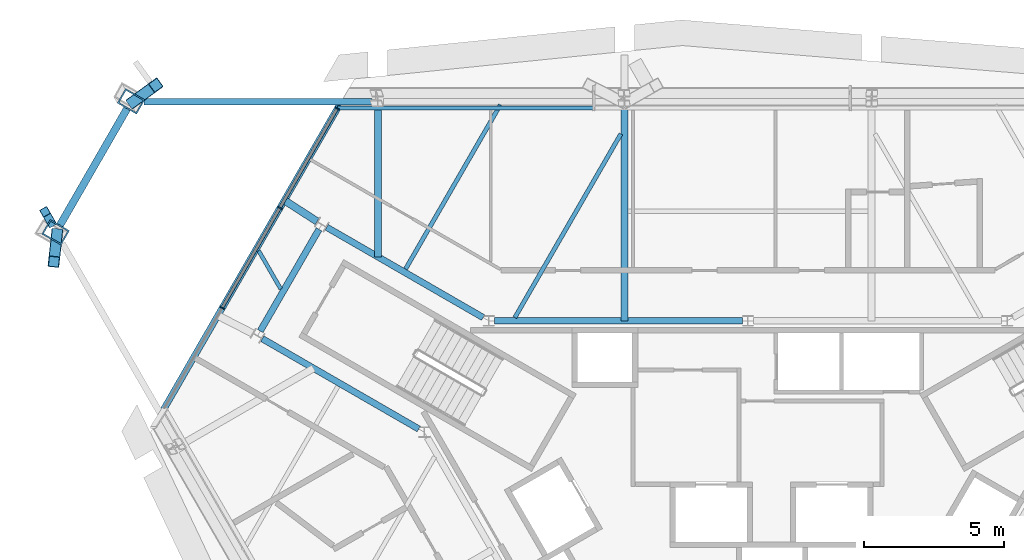
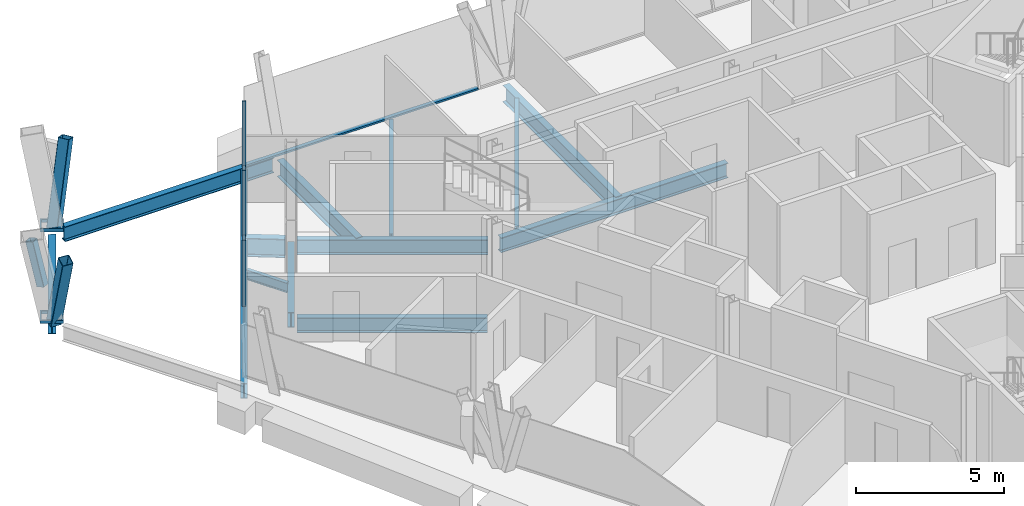
# One storey, part 4 of 11: 13 beams, 11 members, 2 elements without a shape of their own.
"""IFC4 building model written with IfcOpenShell, lengths in metres."""

import ifcopenshell
import ifcopenshell.guid

model = None  # the IFC model being written
_history = None  # IfcOwnerHistory: only IFC2X3 demands one
_inside = {}  # id of a spatial element -> (the spatial element, [elements in it])
_under = {}  # id of a project, library or spatial element -> (it, [spatial elements below it])
_declared = {}  # id of a project -> (the project, [libraries it declares])
_typed = {}  # id of a type object -> (the type object, [elements of that type])
_made_of = {}  # id of a material, layer set ... -> (it, [elements and type objects made of it])


def new_model(schema):
    """Start an empty IFC model of exactly this schema.

    Asked for "IFC4X3", IfcOpenShell would pick the latest addendum, in which some entities
    have other attributes; the version numbers below select the first issue.
    IFC2X3 requires an IfcOwnerHistory on every rooted entity: one is made here for all.
    """
    global model, _history
    if schema == "IFC4X3":
        model = ifcopenshell.file(schema_version=(4, 3, 0, 0))
    else:
        model = ifcopenshell.file(schema=schema)
    _inside.clear()
    _under.clear()
    _declared.clear()
    _typed.clear()
    _made_of.clear()
    _history = None
    if model.schema == "IFC2X3":
        org = make("IfcOrganization", Name="unknown")
        user = make(
            "IfcPersonAndOrganization",
            ThePerson=make("IfcPerson", FamilyName="unknown"),
            TheOrganization=org,
        )
        app = make(
            "IfcApplication",
            ApplicationDeveloper=org,
            Version="unknown",
            ApplicationFullName="unknown",
            ApplicationIdentifier="unknown",
        )
        _history = make(
            "IfcOwnerHistory",
            OwningUser=user,
            OwningApplication=app,
            ChangeAction="ADDED",
            CreationDate=0,
        )
    return model


def make(cls, **values):
    """One entity of the class cls with the attributes given. An attribute that is None is left unset."""
    return model.create_entity(
        cls, **{name: value for name, value in values.items() if value is not None}
    )


def rooted(cls, **values):
    """An entity with a GlobalId (a new one), such as an element, a storey or a relation."""
    return make(cls, GlobalId=ifcopenshell.guid.new(), OwnerHistory=_history, **values)


def si_unit(unit_type, name, prefix=None):
    """IfcSIUnit, for example si_unit("LENGTHUNIT", "METRE", prefix="MILLI")."""
    return make("IfcSIUnit", UnitType=unit_type, Prefix=prefix, Name=name)


def assignment(units):
    """IfcUnitAssignment: the units of a project."""
    return None if units is None else make("IfcUnitAssignment", Units=units)


def point(xyz):
    """IfcCartesianPoint."""
    return None if xyz is None else make("IfcCartesianPoint", Coordinates=xyz)


def direction(xyz):
    """IfcDirection."""
    return None if xyz is None else make("IfcDirection", DirectionRatios=xyz)


def frame(location, z_axis=None, x_axis=None):
    """IfcAxis2Placement3D, a coordinate frame: its origin and axes. An axis left out is left unset."""
    return make(
        "IfcAxis2Placement3D",
        Location=point(location),
        Axis=direction(z_axis),
        RefDirection=direction(x_axis),
    )


def frame_2d(location, x_axis=None):
    """IfcAxis2Placement2D, a coordinate frame in the plane: its origin and x axis."""
    return make(
        "IfcAxis2Placement2D", Location=point(location), RefDirection=direction(x_axis)
    )


def origin():
    """The frame at (0, 0, 0) with its axes left unset."""
    return frame((0.0, 0.0, 0.0))


def origin_2d():
    """The frame at (0, 0) in the plane with its x axis left unset."""
    return frame_2d((0.0, 0.0))


def place(relative_to, where):
    """IfcLocalPlacement: puts the frame where relative to a parent placement (None: the world)."""
    return make(
        "IfcLocalPlacement", PlacementRelTo=relative_to, RelativePlacement=where
    )


def context(
    kind, dimensions, precision=None, world=None, true_north=None, identifier=None
):
    """IfcGeometricRepresentationContext, for example the 3D "Model" context."""
    return make(
        "IfcGeometricRepresentationContext",
        ContextIdentifier=identifier,
        ContextType=kind,
        CoordinateSpaceDimension=dimensions,
        Precision=precision,
        WorldCoordinateSystem=world,
        TrueNorth=true_north,
    )


def subcontext(parent, identifier, kind, view, scale=None):
    """IfcGeometricRepresentationSubContext, for example "Body" below "Model"."""
    return make(
        "IfcGeometricRepresentationSubContext",
        ContextIdentifier=identifier,
        ContextType=kind,
        ParentContext=parent,
        TargetScale=scale,
        TargetView=view,
    )


def project(units=None, contexts=None):
    """IfcProject with its units and contexts."""
    return rooted(
        "IfcProject",
        Name="project",
        RepresentationContexts=contexts,
        UnitsInContext=assignment(units),
    )


def spatial(cls, under=None, at=None, **own):
    """A site, building, storey or space (cls), placed at a placement, below another one or the project."""
    s = rooted(cls, ObjectPlacement=at, **own)
    if under is not None:
        _under.setdefault(under.id(), (under, []))[1].append(s)
    return s


def profile(cls, at=None, kind="AREA", **sizes):
    """A parametric profile (cls). Its sizes go by their IFC names, for example OverallWidth=200.0."""
    return make(cls, ProfileType=kind, Position=at, **sizes)


def rectangle(**sizes):
    """IfcRectangleProfileDef."""
    return profile("IfcRectangleProfileDef", **sizes)


def hollow_rectangle(**sizes):
    """IfcRectangleHollowProfileDef."""
    return profile("IfcRectangleHollowProfileDef", **sizes)


def i_section(**sizes):
    """IfcIShapeProfileDef."""
    return profile("IfcIShapeProfileDef", **sizes)


def extrude(swept, where, along, depth):
    """IfcExtrudedAreaSolid: the profile swept, set in the frame where, extruded along a direction by depth."""
    return make(
        "IfcExtrudedAreaSolid",
        SweptArea=swept,
        Position=where,
        ExtrudedDirection=direction(along),
        Depth=depth,
    )


def shape(context_of_items, identifier, shape_type, items):
    """IfcShapeRepresentation: the items that make up one representation, for example the "Body"."""
    return make(
        "IfcShapeRepresentation",
        ContextOfItems=context_of_items,
        RepresentationIdentifier=identifier,
        RepresentationType=shape_type,
        Items=items,
    )


def material(Name=None, Category=None):
    """IfcMaterial."""
    return make("IfcMaterial", Name=Name, Category=Category)


def material_profile(
    of_material, cross_section, Name=None, Category=None, Priority=None
):
    """IfcMaterialProfile: a cross section and its material."""
    return make(
        "IfcMaterialProfile",
        Name=Name,
        Material=of_material,
        Profile=cross_section,
        Priority=Priority,
        Category=Category,
    )


def profile_set(profiles, Name=None, composite=None):
    """IfcMaterialProfileSet."""
    return make(
        "IfcMaterialProfileSet",
        Name=Name,
        MaterialProfiles=profiles,
        CompositeProfile=composite,
    )


def made_of(thing, what):
    """Note that an element or type object is made of a material, layer set ...; save() writes the relation."""
    if what is not None:
        _made_of.setdefault(what.id(), (what, []))[1].append(thing)
    return thing


def type_object(cls, material=None, **own):
    """A type object (cls), such as IfcWallType, which elements share."""
    return made_of(rooted(cls, **own), material)


def element(
    cls,
    number,
    at=None,
    inside=None,
    cuts=None,
    type_object=None,
    material=None,
    context=None,
    identifier="Body",
    shape_type=None,
    held_by="IfcProductDefinitionShape",
    body=None,
    shapes=None,
    **own,
):
    """One element of the class cls, such as IfcWall. Its Tag is "e" and its number.

    at: its placement. inside: the storey or other place that contains it. cuts: it is an
    opening in that element (IfcRelVoidsElement). A single representation is given by context,
    identifier, shape_type and body (its items); several are given by shapes. held_by: the class
    of the entity that holds the representations. save() writes the other relations.
    """
    e = rooted(cls, Tag="e%d" % number, ObjectPlacement=at, **own)
    if body is not None:
        shapes = [shape(context, identifier, shape_type, body)]
    if shapes is not None:
        e.Representation = make(held_by, Representations=shapes)
    if inside is not None:
        _inside.setdefault(inside.id(), (inside, []))[1].append(e)
    if cuts is not None:
        rooted(
            "IfcRelVoidsElement", RelatingBuildingElement=cuts, RelatedOpeningElement=e
        )
    if type_object is not None:
        _typed.setdefault(type_object.id(), (type_object, []))[1].append(e)
    return made_of(e, material)


def aggregate(whole, parts):
    """IfcRelAggregates: a whole, such as a stair, and the parts it consists of."""
    return rooted("IfcRelAggregates", RelatingObject=whole, RelatedObjects=parts)


def save(model, path):
    """Write the relations noted so far, then the file.

    IfcRelAggregates (storeys below a building ...), IfcRelContainedInSpatialStructure (elements
    in a storey), IfcRelDefinesByType, IfcRelAssociatesMaterial and IfcRelDeclares: one each for
    every whole, place, type object, material and project.
    """
    for whole, parts in _under.values():
        aggregate(whole, parts)
    for where, things in _inside.values():
        rooted(
            "IfcRelContainedInSpatialStructure",
            RelatedElements=things,
            RelatingStructure=where,
        )
    for kind, things in _typed.values():
        rooted("IfcRelDefinesByType", RelatedObjects=things, RelatingType=kind)
    for what, things in _made_of.values():
        rooted("IfcRelAssociatesMaterial", RelatedObjects=things, RelatingMaterial=what)
    for by, libraries in _declared.values():
        rooted("IfcRelDeclares", RelatingContext=by, RelatedDefinitions=libraries)
    model.write(path)


model = new_model("IFC4")

# Units and contexts
model_context = context("Model", 3, precision=1e-05, world=origin(), true_north=direction((0.0, 1.0)))
body_context = subcontext(model_context, "Body", "Model", "MODEL_VIEW")
ifc_project = project(units=[si_unit("LENGTHUNIT", "METRE"), si_unit("AREAUNIT", "SQUARE_METRE"), si_unit("VOLUMEUNIT", "CUBIC_METRE"), si_unit("PLANEANGLEUNIT", "RADIAN"), si_unit("MASSUNIT", "GRAM", prefix="KILO")], contexts=[model_context])

# Site, building, storey
site_placement = place(None, origin())
site = spatial("IfcSite", under=ifc_project, at=site_placement, CompositionType="ELEMENT")
building_placement = place(site_placement, origin())
building = spatial("IfcBuilding", under=site, at=building_placement, Name="Verrane Prism Tower", CompositionType="ELEMENT")
storey_placement = place(building_placement, frame((0.0, 0.0, 232.300048828125)))
storey = spatial("IfcBuildingStorey", under=building, at=storey_placement, Name="L58", CompositionType="ELEMENT", Elevation=232.300048828125)

# Member
ifc_material_1 = material(Name="Steel A500 Grade C", Category="steel")
ifc_material_profile_1 = material_profile(ifc_material_1, hollow_rectangle(XDim=0.3046875, YDim=0.3046875, WallThickness=0.0126953125, InnerFilletRadius=0.00634765625, OuterFilletRadius=0.01904296875, at=origin_2d()), Name="HSS12x12x1/2")
ifc_profile_set_1 = profile_set([ifc_material_profile_1], Name="Steel A500 Grade C")
member_type_1 = type_object("IfcMemberType", Name="Chamfer brace HSS12x12x1/2", PredefinedType="BRACE", material=ifc_profile_set_1)
member_1_placement = place(storey_placement, frame((-24.888427734375, 11.51171875, 1.158203125), z_axis=(-0.123660107547, 0.216716761827, 0.968370808598), x_axis=(-0.86855035139, -0.49560093533, 0.0)))
element("IfcMember", 1, at=member_1_placement, inside=storey, type_object=member_type_1, Name="Chamfer brace NW0 L58", PredefinedType="BRACE", context=body_context, shape_type="SweptSolid", body=[
    extrude(hollow_rectangle(XDim=0.3046875, YDim=0.3046875, WallThickness=0.0126953125, InnerFilletRadius=0.00634765625, OuterFilletRadius=0.01904296875, at=origin_2d()), origin(), (0.0, 0.0, 1.0), 1.762939453125),
])

# Beams
ifc_material_2 = material(Name="Steel A992", Category="steel")
ifc_material_profile_2 = material_profile(ifc_material_2, i_section(OverallWidth=0.2666015625, OverallDepth=0.7568359375, WebThickness=0.013916015625, FlangeThickness=0.019287109375, FilletRadius=0.0166015625, at=origin_2d()), Name="W30x108")
ifc_profile_set_2 = profile_set([ifc_material_profile_2], Name="Steel A992")
beam_type_1 = type_object("IfcBeamType", Name="Chamfer spandrel beam W30x108", PredefinedType="SPANDREL", material=ifc_profile_set_2)
beam_1_placement = place(storey_placement, frame((-22.1796875, 15.570068359375, -0.53857421875), z_axis=(-0.499144251771, -0.866518906848, 0.0), x_axis=(0.866518906848, -0.499144251771, 0.0)))
element("IfcBeam", 2, at=beam_1_placement, inside=storey, type_object=beam_type_1, Name="Chamfer spandrel beam L58", PredefinedType="SPANDREL", context=body_context, shape_type="SweptSolid", body=[
    extrude(i_section(OverallWidth=0.2666015625, OverallDepth=0.7568359375, WebThickness=0.013916015625, FlangeThickness=0.019287109375, FilletRadius=0.0166015625, at=origin_2d()), origin(), (0.0, 0.0, 1.0), 4.78955078125),
])
ifc_material_3 = material(Name="Steel A992", Category="steel")
ifc_material_profile_3 = material_profile(ifc_material_3, i_section(OverallWidth=0.23046875, OverallDepth=0.6171875, WebThickness=0.01318359375, FlangeThickness=0.022216796875, FilletRadius=0.012939453125, at=origin_2d()), Name="W24x94")
ifc_profile_set_3 = profile_set([ifc_material_profile_3], Name="Steel A992")
beam_type_2 = type_object("IfcBeamType", Name="Core ring girder W24x94", PredefinedType="BEAM", material=ifc_profile_set_3)
beam_2_placement = place(storey_placement, frame((-0.199462890625, 8.0, -0.55859375), z_axis=(-1.0, 0.0, 0.0), x_axis=(0.0, -1.0, 0.0)))
element("IfcBeam", 3, at=beam_2_placement, inside=storey, type_object=beam_type_2, Name="Core ring girder L58", PredefinedType="BEAM", context=body_context, shape_type="SweptSolid", body=[
    extrude(i_section(OverallWidth=0.23046875, OverallDepth=0.6171875, WebThickness=0.01318359375, FlangeThickness=0.022216796875, FilletRadius=0.012939453125, at=origin_2d()), origin(), (0.0, 0.0, 1.0), 8.861083984375),
])
beam_3_placement = place(storey_placement, frame((-9.45947265625, 8.114990234375, -0.55859375), z_axis=(-0.866080992722, 0.499903704773, 0.0), x_axis=(-0.499903704773, -0.866080992722, 0.0)))
element("IfcBeam", 4, at=beam_3_placement, inside=storey, type_object=beam_type_2, Name="Core ring girder L58", PredefinedType="BEAM", context=body_context, shape_type="SweptSolid", body=[
    extrude(i_section(OverallWidth=0.23046875, OverallDepth=0.6171875, WebThickness=0.01318359375, FlangeThickness=0.022216796875, FilletRadius=0.012939453125, at=origin_2d()), origin(), (0.0, 0.0, 1.0), 6.451904296875),
])
beam_4_placement = place(storey_placement, frame((-15.3203125, 11.266357421875, -0.55859375), z_axis=(-0.500375511519, -0.865808493532, 0.0), x_axis=(0.865808493532, -0.500375511519, 0.0)))
element("IfcBeam", 5, at=beam_4_placement, inside=storey, type_object=beam_type_2, Name="Core ring girder L58", PredefinedType="BEAM", context=body_context, shape_type="SweptSolid", body=[
    extrude(i_section(OverallWidth=0.23046875, OverallDepth=0.6171875, WebThickness=0.01318359375, FlangeThickness=0.022216796875, FilletRadius=0.012939453125, at=origin_2d()), origin(), (0.0, 0.0, 1.0), 4.195556640625),
])
beam_5_placement = place(storey_placement, frame((-17.347412109375, 7.3603515625, -0.55859375), z_axis=(0.866080992722, -0.499903704773, 0.0), x_axis=(0.499903704773, 0.866080992722, 0.0)))
element("IfcBeam", 6, at=beam_5_placement, inside=storey, type_object=beam_type_2, Name="Core ring girder L58", PredefinedType="BEAM", context=body_context, shape_type="SweptSolid", body=[
    extrude(i_section(OverallWidth=0.23046875, OverallDepth=0.6171875, WebThickness=0.01318359375, FlangeThickness=0.022216796875, FilletRadius=0.012939453125, at=origin_2d()), origin(), (0.0, 0.0, 1.0), 6.451904296875),
])
ifc_material_4 = material(Name="Steel A992", Category="steel")
ifc_material_profile_4 = material_profile(ifc_material_4, i_section(OverallWidth=0.2666015625, OverallDepth=0.76708984375, WebThickness=0.014892578125, FlangeThickness=0.023681640625, FilletRadius=0.0166015625, at=origin_2d()), Name="W30x124")
ifc_profile_set_4 = profile_set([ifc_material_profile_4], Name="Steel A992")
beam_type_3 = type_object("IfcBeamType", Name="Corner girder W30x124", PredefinedType="BEAM", material=ifc_profile_set_4)
beam_6_placement = place(storey_placement, frame((-16.55908203125, 12.30322265625, -0.603515625), z_axis=(0.840494807455, -0.54181959972, 0.0), x_axis=(0.54181959972, 0.840494807455, 0.0)))
element("IfcBeam", 7, at=beam_6_placement, inside=storey, type_object=beam_type_3, Name="Corner girder L58", PredefinedType="BEAM", context=body_context, shape_type="SweptSolid", body=[
    extrude(i_section(OverallWidth=0.2666015625, OverallDepth=0.76708984375, WebThickness=0.014892578125, FlangeThickness=0.023681640625, FilletRadius=0.0166015625, at=origin_2d()), origin(), (0.0, 0.0, 1.0), 1.393798828125),
])

# Members
ifc_material_5 = material(Name="Steel A500 Grade C", Category="steel")
ifc_material_profile_5 = material_profile(ifc_material_5, hollow_rectangle(XDim=0.406494140625, YDim=0.406494140625, WallThickness=0.01904296875, InnerFilletRadius=0.009521484375, OuterFilletRadius=0.028564453125, at=origin_2d()), Name="HSS16x16x3/4")
ifc_profile_set_5 = profile_set([ifc_material_profile_5], Name="Steel A500 Grade C")
member_type_2 = type_object("IfcMemberType", Name="Facade brace HSS16x16x3/4", PredefinedType="BRACE", material=ifc_profile_set_5)
member_2_placement = place(storey_placement, frame((-21.954345703125, 15.830078125, -0.171630859375), z_axis=(0.243245893962, 0.176892670153, 0.95369828474), x_axis=(-0.588142482058, 0.808757331218, 0.0)))
element("IfcMember", 8, at=member_2_placement, inside=storey, type_object=member_type_2, Name="Facade brace N4 L58", PredefinedType="BRACE", context=body_context, shape_type="SweptSolid", body=[
    extrude(hollow_rectangle(XDim=0.406494140625, YDim=0.406494140625, WallThickness=0.01904296875, InnerFilletRadius=0.009521484375, OuterFilletRadius=0.028564453125, at=origin_2d()), origin(), (0.0, 0.0, 1.0), 3.30419921875),
])
member_3_placement = place(storey_placement, frame((-24.682373046875, 11.0947265625, -0.171630859375), z_axis=(-0.032664698192, -0.298490307689, 0.953853528435), x_axis=(0.994065455559, -0.108783592809, 0.0)))
element("IfcMember", 9, at=member_3_placement, inside=storey, type_object=member_type_2, Name="Facade brace SW0 L58", PredefinedType="BRACE", context=body_context, shape_type="SweptSolid", body=[
    extrude(hollow_rectangle(XDim=0.406494140625, YDim=0.406494140625, WallThickness=0.01904296875, InnerFilletRadius=0.009521484375, OuterFilletRadius=0.028564453125, at=origin_2d()), origin(), (0.0, 0.0, 1.0), 3.303466796875),
])

# Beams
ifc_material_6 = material(Name="Steel A992", Category="steel")
ifc_material_profile_6 = material_profile(ifc_material_6, i_section(OverallWidth=0.140380859375, OverallDepth=0.40380859375, WebThickness=0.007080078125, FlangeThickness=0.01123046875, FilletRadius=0.01025390625, at=origin_2d()), Name="W16x31")
ifc_profile_set_6 = profile_set([ifc_material_profile_6], Name="Steel A992")
beam_type_4 = type_object("IfcBeamType", Name="Floor beam W16x31", PredefinedType="BEAM", material=ifc_profile_set_6)
beam_7_placement = place(storey_placement, frame((-16.68603515625, 9.1328125, -0.362060546875), z_axis=(-0.500062898373, 0.865989086347, 0.0), x_axis=(-0.865989086347, -0.500062898373, 0.0)))
element("IfcBeam", 10, at=beam_7_placement, inside=storey, type_object=beam_type_4, Name="Floor beam L58", PredefinedType="BEAM", context=body_context, shape_type="SweptSolid", body=[
    extrude(i_section(OverallWidth=0.140380859375, OverallDepth=0.40380859375, WebThickness=0.007080078125, FlangeThickness=0.01123046875, FilletRadius=0.01025390625, at=origin_2d()), origin(), (0.0, 0.0, 1.0), 1.572509765625),
])
ifc_material_7 = material(Name="Steel A992", Category="steel")
ifc_material_profile_7 = material_profile(ifc_material_7, i_section(OverallWidth=0.15234375, OverallDepth=0.449462890625, WebThickness=0.007568359375, FlangeThickness=0.0107421875, FilletRadius=0.01025390625, at=origin_2d()), Name="W18x35")
ifc_profile_set_7 = profile_set([ifc_material_profile_7], Name="Steel A992")
beam_type_5 = type_object("IfcBeamType", Name="Floor beam W18x35", PredefinedType="BEAM", material=ifc_profile_set_7)
beam_8_placement = place(storey_placement, frame((-8.3251953125, 8.114990234375, -0.384765625), z_axis=(0.499979074716, 0.866037484666, 0.0), x_axis=(-0.866037484666, 0.499979074716, 0.0)))
element("IfcBeam", 11, at=beam_8_placement, inside=storey, type_object=beam_type_5, Name="Floor beam L58", PredefinedType="BEAM", context=body_context, shape_type="SweptSolid", body=[
    extrude(i_section(OverallWidth=0.15234375, OverallDepth=0.449462890625, WebThickness=0.007568359375, FlangeThickness=0.0107421875, FilletRadius=0.01025390625, at=origin_2d()), origin(), (0.0, 0.0, 1.0), 7.576416015625),
])
beam_9_placement = place(storey_placement, frame((-12.22900390625, 9.849853515625, -0.384765625), z_axis=(0.499992893009, 0.866029506969, 0.0), x_axis=(-0.866029506969, 0.499992893009, 0.0)))
element("IfcBeam", 12, at=beam_9_placement, inside=storey, type_object=beam_type_5, Name="Floor beam L58", PredefinedType="BEAM", context=body_context, shape_type="SweptSolid", body=[
    extrude(i_section(OverallWidth=0.15234375, OverallDepth=0.449462890625, WebThickness=0.007568359375, FlangeThickness=0.0107421875, FilletRadius=0.01025390625, at=origin_2d()), origin(), (0.0, 0.0, 1.0), 6.7724609375),
])

# Members
ifc_material_8 = material(Name="Steel A572 Grade 50", Category="steel")
ifc_material_profile_8 = material_profile(ifc_material_8, hollow_rectangle(XDim=0.60009765625, YDim=0.800048828125, WallThickness=0.050048828125, at=origin_2d()), Name="BOX 800x600x50")
ifc_profile_set_8 = profile_set([ifc_material_profile_8], Name="Steel A572 Grade 50")
member_type_3 = type_object("IfcMemberType", Name="Kink node BOX 800x600x50", PredefinedType="COLLAR", material=ifc_profile_set_8)
for number, where, z_axis, x_axis, name in (
    (13, (-22.033447265625, 15.836181640625, -0.06494140625), (0.0, 0.0, 1.0), (0.5, 0.866025403784, 0.0), "Kink node MC4 L58"),
    (14, (-24.72705078125, 11.159912109375, -0.06494140625), (0.0, 0.0, 1.0), (0.5, 0.866025403784, 0.0), "Kink node MC4 L58"),
):
    element("IfcMember", number, at=place(storey_placement, frame(where, z_axis=z_axis, x_axis=x_axis)), inside=storey, type_object=member_type_3, Name=name, PredefinedType="COLLAR", context=body_context, shape_type="SweptSolid", body=[
        extrude(hollow_rectangle(XDim=0.60009765625, YDim=0.800048828125, WallThickness=0.050048828125, at=origin_2d()), origin(), (0.0, 0.0, 1.0), 0.1298828125),
    ])

# Curtain wall, members
ifc_material_9 = material(Name="Aluminium framed insulated glazing", Category="aluminium")
curtain_wall_type_1 = type_object("IfcCurtainWallType", Name="Curtain wall CW-C 4200 module", PredefinedType="NOTDEFINED", material=ifc_material_9)
curtain_wall_1_placement = place(storey_placement, origin())
curtain_wall_1 = element("IfcCurtainWall", 15, at=curtain_wall_1_placement, inside=storey, type_object=curtain_wall_type_1, Name="Glazed curtain wall garden cut line L58 1", PredefinedType="NOTDEFINED")
ifc_material_10 = material(Name="Aluminium alloy 6063-T6", Category="aluminium")
ifc_material_profile_9 = material_profile(ifc_material_10, rectangle(XDim=0.139892578125, YDim=0.050048828125, at=origin_2d()), Name="Mullion 50x140 aluminium")
ifc_profile_set_9 = profile_set([ifc_material_profile_9], Name="Aluminium alloy 6063-T6")
member_type_4 = type_object("IfcMemberType", Name="Mullion 50x140 aluminium", PredefinedType="MULLION", material=ifc_profile_set_9)
member_4_placement = place(storey_placement, frame((-14.6669921875, 15.580078125, 0.0), z_axis=(0.0, 0.0, 1.0), x_axis=(0.866024962966, -0.500000763519, 0.0)))
member_4 = element("IfcMember", 16, at=member_4_placement, type_object=member_type_4, Name="CW57.3.1 mullion 1", PredefinedType="MULLION", context=body_context, shape_type="SweptSolid", body=[
    extrude(rectangle(XDim=0.139892578125, YDim=0.050048828125, at=origin_2d()), origin(), (0.0, 0.0, 1.0), 2.712890625),
])
member_5_placement = place(storey_placement, frame((-16.7158203125, 12.03125, 0.0), z_axis=(0.0, 0.0, 1.0), x_axis=(0.866024962966, -0.500000763519, 0.0)))
member_5 = element("IfcMember", 17, at=member_5_placement, type_object=member_type_4, Name="CW57.3.1 mullion 2", PredefinedType="MULLION", context=body_context, shape_type="SweptSolid", body=[
    extrude(rectangle(XDim=0.139892578125, YDim=0.050048828125, at=origin_2d()), origin(), (0.0, 0.0, 1.0), 2.712890625),
])
member_6_placement = place(storey_placement, frame((-18.77734375, 8.460693359375, 0.0), z_axis=(0.0, 0.0, 1.0), x_axis=(0.866024962966, -0.500000763519, 0.0)))
member_6 = element("IfcMember", 18, at=member_6_placement, type_object=member_type_4, Name="CW57.3.1 mullion 3", PredefinedType="MULLION", context=body_context, shape_type="SweptSolid", body=[
    extrude(rectangle(XDim=0.139892578125, YDim=0.050048828125, at=origin_2d()), origin(), (0.0, 0.0, 1.0), 2.712890625),
])

# Beams
ifc_material_11 = material(Name="Steel A992", Category="steel")
ifc_material_profile_10 = material_profile(ifc_material_11, i_section(OverallWidth=0.25390625, OverallDepth=0.683349609375, WebThickness=0.012451171875, FlangeThickness=0.01904296875, FilletRadius=0.01513671875, at=origin_2d()), Name="W27x94")
ifc_profile_set_10 = profile_set([ifc_material_profile_10], Name="Steel A992")
beam_type_6 = type_object("IfcBeamType", Name="Radial girder W27x94", PredefinedType="BEAM", material=ifc_profile_set_10)
beam_10_placement = place(storey_placement, frame((-4.409912109375, 15.630615234375, -0.561767578125), z_axis=(0.0, -1.0, 0.0), x_axis=(1.0, 0.0, 0.0)))
element("IfcBeam", 19, at=beam_10_placement, inside=storey, type_object=beam_type_6, Name="Radial girder L58", PredefinedType="BEAM", context=body_context, shape_type="SweptSolid", body=[
    extrude(i_section(OverallWidth=0.25390625, OverallDepth=0.683349609375, WebThickness=0.012451171875, FlangeThickness=0.01904296875, FilletRadius=0.01513671875, at=origin_2d()), origin(), (0.0, 0.0, 1.0), 7.630615234375),
])
beam_11_placement = place(storey_placement, frame((-13.219970703125, 15.630615234375, -0.561767578125), z_axis=(0.0, -1.0, 0.0), x_axis=(1.0, 0.0, 0.0)))
element("IfcBeam", 20, at=beam_11_placement, inside=storey, type_object=beam_type_6, Name="Radial girder L58", PredefinedType="BEAM", context=body_context, shape_type="SweptSolid", body=[
    extrude(i_section(OverallWidth=0.25390625, OverallDepth=0.683349609375, WebThickness=0.012451171875, FlangeThickness=0.01904296875, FilletRadius=0.01513671875, at=origin_2d()), origin(), (0.0, 0.0, 1.0), 5.344970703125),
])
ifc_material_12 = material(Name="Steel A992", Category="steel")
ifc_material_profile_11 = material_profile(ifc_material_12, i_section(OverallWidth=0.23046875, OverallDepth=0.6171875, WebThickness=0.01318359375, FlangeThickness=0.022216796875, FilletRadius=0.012939453125, at=origin_2d()), Name="W24x94")
ifc_profile_set_11 = profile_set([ifc_material_profile_11], Name="Steel A992")
beam_type_7 = type_object("IfcBeamType", Name="Slab edge girder W24x94", PredefinedType="BEAM", material=ifc_profile_set_11)
beam_12_placement = place(storey_placement, frame((-20.904296875, 4.777099609375, -0.528564453125), z_axis=(0.500008020555, 0.866020773066, 0.0), x_axis=(-0.866020773066, 0.500008020555, 0.0)))
element("IfcBeam", 21, at=beam_12_placement, inside=storey, type_object=beam_type_7, Name="Slab edge girder L58", PredefinedType="BEAM", context=body_context, shape_type="SweptSolid", body=[
    extrude(i_section(OverallWidth=0.23046875, OverallDepth=0.6171875, WebThickness=0.01318359375, FlangeThickness=0.022216796875, FilletRadius=0.012939453125, at=origin_2d()), origin(), (0.0, 0.0, 1.0), 12.630126953125),
])
ifc_material_13 = material(Name="Steel A992", Category="steel")
ifc_material_profile_12 = material_profile(ifc_material_13, i_section(OverallWidth=0.23046875, OverallDepth=0.6171875, WebThickness=0.01318359375, FlangeThickness=0.022216796875, FilletRadius=0.012939453125, at=origin_2d()), Name="W24x94")
ifc_profile_set_12 = profile_set([ifc_material_profile_12], Name="Steel A992")
beam_type_8 = type_object("IfcBeamType", Name="Spandrel beam W24x94", PredefinedType="SPANDREL", material=ifc_profile_set_12)
beam_13_placement = place(storey_placement, frame((-13.420654296875, 15.830078125, -0.46875), z_axis=(-1.0, 0.0, 0.0), x_axis=(0.0, -1.0, 0.0)))
element("IfcBeam", 22, at=beam_13_placement, inside=storey, type_object=beam_type_8, Name="Spandrel beam L58", PredefinedType="SPANDREL", context=body_context, shape_type="SweptSolid", body=[
    extrude(i_section(OverallWidth=0.23046875, OverallDepth=0.6171875, WebThickness=0.01318359375, FlangeThickness=0.022216796875, FilletRadius=0.012939453125, at=origin_2d()), origin(), (0.0, 0.0, 1.0), 8.1474609375),
])

# Member
ifc_material_14 = material(Name="Aluminium alloy 6063-T6", Category="aluminium")
ifc_material_profile_13 = material_profile(ifc_material_14, rectangle(XDim=0.10009765625, YDim=0.050048828125, at=origin_2d()), Name="Transom 50x100 aluminium")
ifc_profile_set_13 = profile_set([ifc_material_profile_13], Name="Aluminium alloy 6063-T6")
member_type_5 = type_object("IfcMemberType", Name="Transom 50x100 aluminium", PredefinedType="USERDEFINED", material=ifc_profile_set_13)
member_7_placement = place(storey_placement, frame((-14.679443359375, 15.55859375, 0.02490234375), z_axis=(-0.499992196334, -0.866029909186, 0.0), x_axis=(0.866029909186, -0.499992196334, 0.0)))
member_7 = element("IfcMember", 23, at=member_7_placement, type_object=member_type_5, Name="CW57.3.1 transom 1", ObjectType="TRANSOM", PredefinedType="USERDEFINED", context=body_context, shape_type="SweptSolid", body=[
    extrude(rectangle(XDim=0.10009765625, YDim=0.050048828125, at=origin_2d()), origin(), (0.0, 0.0, 1.0), 4.0478515625),
])

member_8_placement = place(storey_placement, frame((-16.728515625, 12.009765625, 0.02490234375), z_axis=(-0.499974973053, -0.866039852617, 0.0), x_axis=(0.866039852617, -0.499974973053, 0.0)))
member_8 = element("IfcMember", 24, at=member_8_placement, type_object=member_type_5, Name="CW57.3.1 transom 2", ObjectType="TRANSOM", PredefinedType="USERDEFINED", context=body_context, shape_type="SweptSolid", body=[
    extrude(rectangle(XDim=0.10009765625, YDim=0.050048828125, at=origin_2d()), origin(), (0.0, 0.0, 1.0), 4.072998046875),
])

aggregate(curtain_wall_1, [member_4, member_5, member_6, member_7, member_8])

# Curtain wall, member
ifc_material_15 = material(Name="Aluminium framed insulated glazing", Category="aluminium")
curtain_wall_type_2 = type_object("IfcCurtainWallType", Name="Curtain wall CW-A 8400 module", PredefinedType="NOTDEFINED", material=ifc_material_15)
curtain_wall_2_placement = place(storey_placement, origin())
curtain_wall_2 = element("IfcCurtainWall", 25, at=curtain_wall_2_placement, inside=storey, type_object=curtain_wall_type_2, Name="Glazed curtain wall north face L58", PredefinedType="NOTDEFINED")
ifc_material_16 = material(Name="Aluminium alloy 6063-T6", Category="aluminium")
ifc_material_profile_14 = material_profile(ifc_material_16, rectangle(XDim=0.14990234375, YDim=0.070068359375, at=origin_2d()), Name="Transom 70x150 aluminium")
ifc_profile_set_14 = profile_set([ifc_material_profile_14], Name="Aluminium alloy 6063-T6")
member_type_6 = type_object("IfcMemberType", Name="Transom 70x150 aluminium", PredefinedType="USERDEFINED", material=ifc_profile_set_14)
member_9_placement = place(storey_placement, frame((-5.537109375, 15.601806640625, 0.034912109375), z_axis=(-1.0, 0.0, 0.0), x_axis=(0.0, -1.0, 0.0)))
member_9 = element("IfcMember", 26, at=member_9_placement, type_object=member_type_6, Name="CW57.2 transom 4", ObjectType="TRANSOM", PredefinedType="USERDEFINED", context=body_context, shape_type="SweptSolid", body=[
    extrude(rectangle(XDim=0.14990234375, YDim=0.070068359375, at=origin_2d()), origin(), (0.0, 0.0, 1.0), 9.117431640625),
])
aggregate(curtain_wall_2, [member_9])

save(model, "model.ifc")
